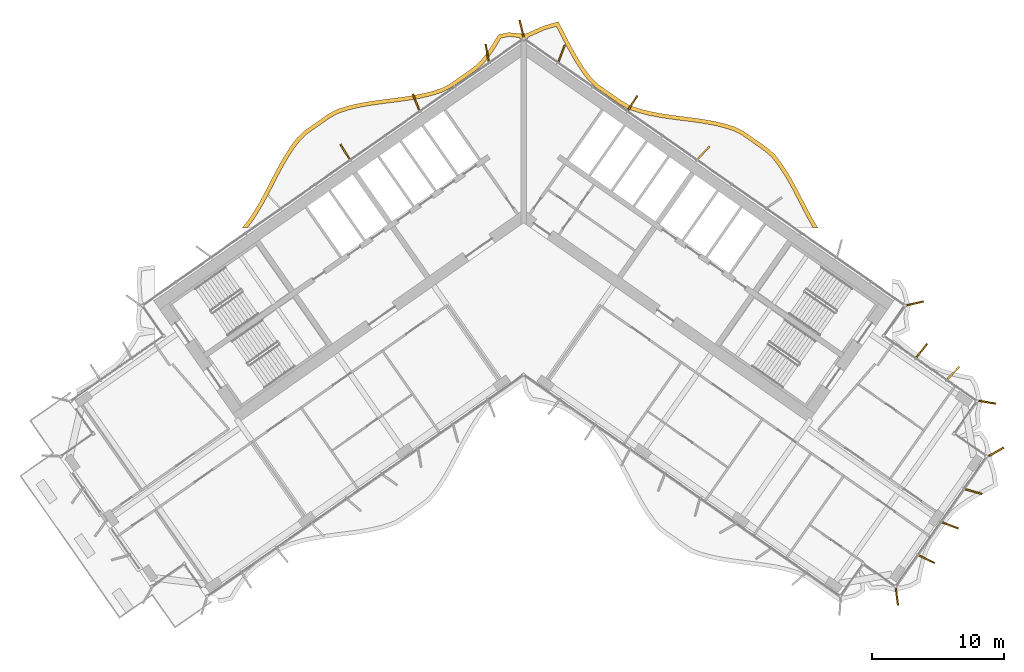
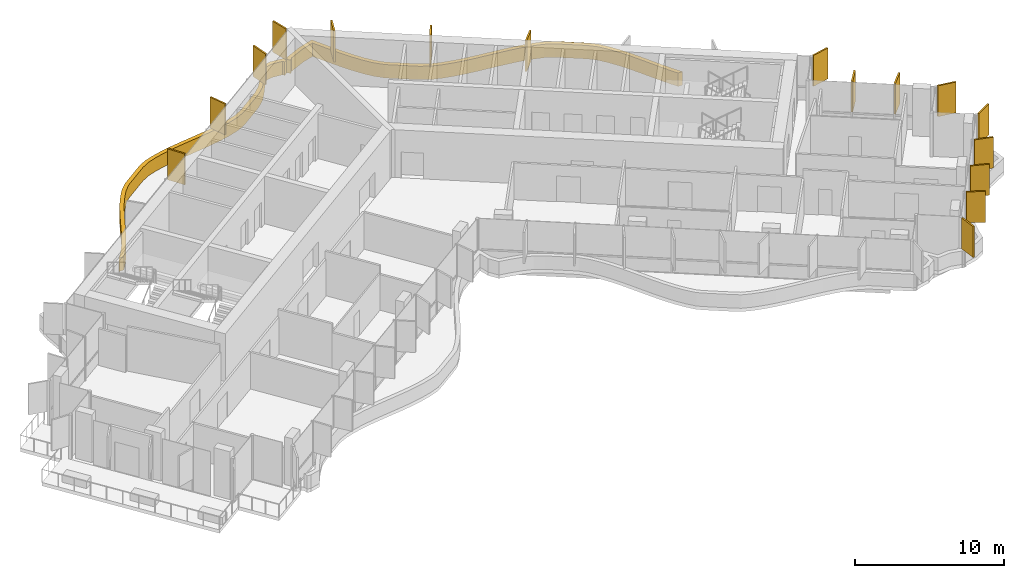
# One storey, part 21 of 22: 17 shading devices.
"""IFC4 building model written with IfcOpenShell, lengths in metres."""

import ifcopenshell
import ifcopenshell.guid

model = None  # the IFC model being written
_history = None  # IfcOwnerHistory: only IFC2X3 demands one
_inside = {}  # id of a spatial element -> (the spatial element, [elements in it])
_under = {}  # id of a project, library or spatial element -> (it, [spatial elements below it])
_declared = {}  # id of a project -> (the project, [libraries it declares])
_typed = {}  # id of a type object -> (the type object, [elements of that type])
_made_of = {}  # id of a material, layer set ... -> (it, [elements and type objects made of it])


def new_model(schema):
    """Start an empty IFC model of exactly this schema.

    Asked for "IFC4X3", IfcOpenShell would pick the latest addendum, in which some entities
    have other attributes; the version numbers below select the first issue.
    IFC2X3 requires an IfcOwnerHistory on every rooted entity: one is made here for all.
    """
    global model, _history
    if schema == "IFC4X3":
        model = ifcopenshell.file(schema_version=(4, 3, 0, 0))
    else:
        model = ifcopenshell.file(schema=schema)
    _inside.clear()
    _under.clear()
    _declared.clear()
    _typed.clear()
    _made_of.clear()
    _history = None
    if model.schema == "IFC2X3":
        org = make("IfcOrganization", Name="unknown")
        user = make(
            "IfcPersonAndOrganization",
            ThePerson=make("IfcPerson", FamilyName="unknown"),
            TheOrganization=org,
        )
        app = make(
            "IfcApplication",
            ApplicationDeveloper=org,
            Version="unknown",
            ApplicationFullName="unknown",
            ApplicationIdentifier="unknown",
        )
        _history = make(
            "IfcOwnerHistory",
            OwningUser=user,
            OwningApplication=app,
            ChangeAction="ADDED",
            CreationDate=0,
        )
    return model


def make(cls, **values):
    """One entity of the class cls with the attributes given. An attribute that is None is left unset."""
    return model.create_entity(
        cls, **{name: value for name, value in values.items() if value is not None}
    )


def rooted(cls, **values):
    """An entity with a GlobalId (a new one), such as an element, a storey or a relation."""
    return make(cls, GlobalId=ifcopenshell.guid.new(), OwnerHistory=_history, **values)


def si_unit(unit_type, name, prefix=None):
    """IfcSIUnit, for example si_unit("LENGTHUNIT", "METRE", prefix="MILLI")."""
    return make("IfcSIUnit", UnitType=unit_type, Prefix=prefix, Name=name)


def assignment(units):
    """IfcUnitAssignment: the units of a project."""
    return None if units is None else make("IfcUnitAssignment", Units=units)


def point(xyz):
    """IfcCartesianPoint."""
    return None if xyz is None else make("IfcCartesianPoint", Coordinates=xyz)


def direction(xyz):
    """IfcDirection."""
    return None if xyz is None else make("IfcDirection", DirectionRatios=xyz)


def frame(location, z_axis=None, x_axis=None):
    """IfcAxis2Placement3D, a coordinate frame: its origin and axes. An axis left out is left unset."""
    return make(
        "IfcAxis2Placement3D",
        Location=point(location),
        Axis=direction(z_axis),
        RefDirection=direction(x_axis),
    )


def frame_2d(location, x_axis=None):
    """IfcAxis2Placement2D, a coordinate frame in the plane: its origin and x axis."""
    return make(
        "IfcAxis2Placement2D", Location=point(location), RefDirection=direction(x_axis)
    )


def origin():
    """The frame at (0, 0, 0) with its axes left unset."""
    return frame((0.0, 0.0, 0.0))


def origin_2d():
    """The frame at (0, 0) in the plane with its x axis left unset."""
    return frame_2d((0.0, 0.0))


def place(relative_to, where):
    """IfcLocalPlacement: puts the frame where relative to a parent placement (None: the world)."""
    return make(
        "IfcLocalPlacement", PlacementRelTo=relative_to, RelativePlacement=where
    )


def context(
    kind, dimensions, precision=None, world=None, true_north=None, identifier=None
):
    """IfcGeometricRepresentationContext, for example the 3D "Model" context."""
    return make(
        "IfcGeometricRepresentationContext",
        ContextIdentifier=identifier,
        ContextType=kind,
        CoordinateSpaceDimension=dimensions,
        Precision=precision,
        WorldCoordinateSystem=world,
        TrueNorth=true_north,
    )


def subcontext(parent, identifier, kind, view, scale=None):
    """IfcGeometricRepresentationSubContext, for example "Body" below "Model"."""
    return make(
        "IfcGeometricRepresentationSubContext",
        ContextIdentifier=identifier,
        ContextType=kind,
        ParentContext=parent,
        TargetScale=scale,
        TargetView=view,
    )


def project(units=None, contexts=None):
    """IfcProject with its units and contexts."""
    return rooted(
        "IfcProject",
        Name="project",
        RepresentationContexts=contexts,
        UnitsInContext=assignment(units),
    )


def spatial(cls, under=None, at=None, **own):
    """A site, building, storey or space (cls), placed at a placement, below another one or the project."""
    s = rooted(cls, ObjectPlacement=at, **own)
    if under is not None:
        _under.setdefault(under.id(), (under, []))[1].append(s)
    return s


def polyline(points):
    """IfcPolyline through the points."""
    return make("IfcPolyline", Points=[point(p) for p in points])


def profile(cls, at=None, kind="AREA", **sizes):
    """A parametric profile (cls). Its sizes go by their IFC names, for example OverallWidth=200.0."""
    return make(cls, ProfileType=kind, Position=at, **sizes)


def rectangle(**sizes):
    """IfcRectangleProfileDef."""
    return profile("IfcRectangleProfileDef", **sizes)


def outline(outer, holes=None, kind="AREA"):
    """IfcArbitraryClosedProfileDef: a profile drawn as a closed curve; with holes, ...WithVoids."""
    if holes is None:
        return make("IfcArbitraryClosedProfileDef", ProfileType=kind, OuterCurve=outer)
    return make(
        "IfcArbitraryProfileDefWithVoids",
        ProfileType=kind,
        OuterCurve=outer,
        InnerCurves=holes,
    )


def extrude(swept, where, along, depth):
    """IfcExtrudedAreaSolid: the profile swept, set in the frame where, extruded along a direction by depth."""
    return make(
        "IfcExtrudedAreaSolid",
        SweptArea=swept,
        Position=where,
        ExtrudedDirection=direction(along),
        Depth=depth,
    )


def shape(context_of_items, identifier, shape_type, items):
    """IfcShapeRepresentation: the items that make up one representation, for example the "Body"."""
    return make(
        "IfcShapeRepresentation",
        ContextOfItems=context_of_items,
        RepresentationIdentifier=identifier,
        RepresentationType=shape_type,
        Items=items,
    )


def material(Name=None, Category=None):
    """IfcMaterial."""
    return make("IfcMaterial", Name=Name, Category=Category)


def layer(
    of_material, thickness, ventilated=None, Name=None, Category=None, Priority=None
):
    """IfcMaterialLayer: one layer of a wall or slab, of a material (None: an air gap)."""
    return make(
        "IfcMaterialLayer",
        Material=of_material,
        LayerThickness=thickness,
        IsVentilated=ventilated,
        Name=Name,
        Category=Category,
        Priority=Priority,
    )


def layer_set(layers, Name=None):
    """IfcMaterialLayerSet."""
    return make("IfcMaterialLayerSet", MaterialLayers=layers, LayerSetName=Name)


def made_of(thing, what):
    """Note that an element or type object is made of a material, layer set ...; save() writes the relation."""
    if what is not None:
        _made_of.setdefault(what.id(), (what, []))[1].append(thing)
    return thing


def type_object(cls, material=None, **own):
    """A type object (cls), such as IfcWallType, which elements share."""
    return made_of(rooted(cls, **own), material)


def element(
    cls,
    number,
    at=None,
    inside=None,
    cuts=None,
    type_object=None,
    material=None,
    context=None,
    identifier="Body",
    shape_type=None,
    held_by="IfcProductDefinitionShape",
    body=None,
    shapes=None,
    **own,
):
    """One element of the class cls, such as IfcWall. Its Tag is "e" and its number.

    at: its placement. inside: the storey or other place that contains it. cuts: it is an
    opening in that element (IfcRelVoidsElement). A single representation is given by context,
    identifier, shape_type and body (its items); several are given by shapes. held_by: the class
    of the entity that holds the representations. save() writes the other relations.
    """
    e = rooted(cls, Tag="e%d" % number, ObjectPlacement=at, **own)
    if body is not None:
        shapes = [shape(context, identifier, shape_type, body)]
    if shapes is not None:
        e.Representation = make(held_by, Representations=shapes)
    if inside is not None:
        _inside.setdefault(inside.id(), (inside, []))[1].append(e)
    if cuts is not None:
        rooted(
            "IfcRelVoidsElement", RelatingBuildingElement=cuts, RelatedOpeningElement=e
        )
    if type_object is not None:
        _typed.setdefault(type_object.id(), (type_object, []))[1].append(e)
    return made_of(e, material)


def aggregate(whole, parts):
    """IfcRelAggregates: a whole, such as a stair, and the parts it consists of."""
    return rooted("IfcRelAggregates", RelatingObject=whole, RelatedObjects=parts)


def save(model, path):
    """Write the relations noted so far, then the file.

    IfcRelAggregates (storeys below a building ...), IfcRelContainedInSpatialStructure (elements
    in a storey), IfcRelDefinesByType, IfcRelAssociatesMaterial and IfcRelDeclares: one each for
    every whole, place, type object, material and project.
    """
    for whole, parts in _under.values():
        aggregate(whole, parts)
    for where, things in _inside.values():
        rooted(
            "IfcRelContainedInSpatialStructure",
            RelatedElements=things,
            RelatingStructure=where,
        )
    for kind, things in _typed.values():
        rooted("IfcRelDefinesByType", RelatedObjects=things, RelatingType=kind)
    for what, things in _made_of.values():
        rooted("IfcRelAssociatesMaterial", RelatedObjects=things, RelatingMaterial=what)
    for by, libraries in _declared.values():
        rooted("IfcRelDeclares", RelatingContext=by, RelatedDefinitions=libraries)
    model.write(path)


model = new_model("IFC4")

# Units and contexts
model_context = context("Model", 3, precision=1e-05, world=origin(), true_north=direction((0.0, 1.0)))
body_context = subcontext(model_context, "Body", "Model", "MODEL_VIEW")
ifc_project = project(units=[si_unit("LENGTHUNIT", "METRE"), si_unit("AREAUNIT", "SQUARE_METRE"), si_unit("VOLUMEUNIT", "CUBIC_METRE"), si_unit("PLANEANGLEUNIT", "RADIAN"), si_unit("MASSUNIT", "GRAM", prefix="KILO")], contexts=[model_context])

# Site, building, storey
site_placement = place(None, origin())
site = spatial("IfcSite", under=ifc_project, at=site_placement, CompositionType="ELEMENT")
building_placement = place(site_placement, origin())
building = spatial("IfcBuilding", under=site, at=building_placement, Name="Tel Ilan Convention Tower", CompositionType="ELEMENT")
storey_placement = place(building_placement, frame((0.0, 0.0, 202.199951171875)))
storey = spatial("IfcBuildingStorey", under=building, at=storey_placement, Name="L47", CompositionType="ELEMENT", Elevation=202.199951171875)

# Shading devices
ifc_material_1 = material(Name="Aluminium, bronze anodised", Category="aluminium")
ifc_layer_1 = layer(ifc_material_1, 0.1201171875)
ifc_layer_set_1 = layer_set([ifc_layer_1], Name="FIN BRONZE 1300x120")
shading_device_type_1 = type_object("IfcShadingDeviceType", Name="FIN BRONZE 1300x120", PredefinedType="USERDEFINED", material=ifc_layer_set_1)
for number, where, z_axis, x_axis, name in (
    (1, (29.594970703125, -7.31494140625, 1.10009765625), (0.0, 0.0, 1.0), (0.975235208752, 0.221170268371, 0.0), "FIN"),
    (2, (13.61376953125, 4.080810546875, 1.10009765625), (0.0, 0.0, 1.0), (0.686241637865, 0.727373641577, 0.0), "FIN"),
    (3, (8.245849609375, 7.83984375, 1.10009765625), (0.0, 0.0, 1.0), (0.533204432798, 0.845986425922, 0.0), "FIN"),
    (4, (2.874755859375, 11.592529296875, 1.10009765625), (0.0, 0.0, 1.0), (0.360177724803, 0.932883704733, 0.0), "FIN"),
    (5, (-0.156005859375, 13.463134765625, 1.10009765625), (0.0, 0.0, 1.0), (-0.240039791311, 0.970763049661, 0.0), "FIN"),
    (6, (-2.759765625, 11.63525390625, 1.10009765625), (0.0, 0.0, 1.0), (-0.173648177667, 0.984807753012, 0.0), "FIN"),
    (7, (-8.139892578125, 7.90576171875, 1.10009765625), (0.0, 0.0, 1.0), (-0.360177724803, 0.932883704733, 0.0), "FIN"),
    (8, (-13.510986328125, 4.153076171875, 1.10009765625), (0.0, 0.0, 1.0), (-0.533204432798, 0.845986425922, 0.0), "FIN"),
    (9, (28.21875, -29.50439453125, 1.10009765625), (0.0, 0.0, 1.0), (0.125718016748, -0.992066016082, 0.0), "FIN"),
    (10, (30.4736328125, -26.6552734375, 1.10009765625), (0.0, 0.0, 1.0), (0.893632640321, -0.448799180206, 0.0), "FIN"),
    (11, (32.253173828125, -24.1025390625, 1.10009765625), (0.0, 0.0, 1.0), (0.932883704733, -0.360177724803, 0.0), "FIN"),
    (12, (34.02685546875, -21.547607421875, 1.10009765625), (0.0, 0.0, 1.0), (0.963370878614, -0.268172612768, 0.0), "FIN"),
    (13, (35.719482421875, -18.540771484375, 1.10009765625), (0.0, 0.0, 1.0), (0.870832754082, 0.491579408049, 0.0), "FIN"),
    (14, (35.057861328125, -14.788818359375, 1.10009765625), (0.0, 0.0, 1.0), (0.986445172547, -0.16409119891, 0.0), "FIN"),
    (15, (32.5, -12.561767578125, 1.10009765625), (0.0, 0.0, 1.0), (0.686241637865, 0.727373641577, 0.0), "FIN"),
    (16, (30.1005859375, -10.881103515625, 1.10009765625), (0.0, 0.0, 1.0), (0.612600545196, 0.790392669516, 0.0), "FIN"),
):
    element("IfcShadingDevice", number, at=place(storey_placement, frame(where, z_axis=z_axis, x_axis=x_axis)), inside=storey, type_object=shading_device_type_1, Name=name, ObjectType="FIN", PredefinedType="USERDEFINED", context=body_context, shape_type="SweptSolid", body=[
        extrude(rectangle(XDim=1.300048828125, YDim=0.1201171875, at=origin_2d()), origin(), (0.0, 0.0, 1.0), 2.52001953125),
    ])
ifc_material_2 = material(Name="Aluminium, bronze anodised", Category="aluminium")
ifc_layer_2 = layer(ifc_material_2, 0.300048828125)
ifc_layer_set_2 = layer_set([ifc_layer_2], Name="LOUVRE BAND 300x1100")
shading_device_type_2 = type_object("IfcShadingDeviceType", Name="LOUVRE BAND 300x1100", PredefinedType="USERDEFINED", material=ifc_layer_set_2)
shading_device_placement = place(storey_placement, origin())
element("IfcShadingDevice", 17, at=shading_device_placement, inside=storey, type_object=shading_device_type_2, Name="LOUVRE BAND 37.02", ObjectType="LOUVRE", PredefinedType="USERDEFINED", context=body_context, shape_type="SweptSolid", body=[
    extrude(outline(polyline([(-1.14208984375, 13.1650390625), (-1.919921875, 12.991943359375), (-2.3310546875, 12.294921875), (-2.769287109375, 11.63671875), (-3.242431640625, 11.0283203125), (-3.7919921875, 10.529296875), (-5.601806640625, 9.261962890625), (-6.26611328125, 8.926513671875), (-7.002197265625, 8.693603515625), (-7.7724609375, 8.509765625), (-8.570068359375, 8.36474609375), (-9.385986328125, 8.24609375), (-11.03564453125, 8.033935546875), (-11.849853515625, 7.91259765625), (-12.644287109375, 7.76318359375), (-13.41064453125, 7.573486328125), (-14.141845703125, 7.33349609375), (-14.791748046875, 6.977783203125), (-16.6015625, 5.71044921875), (-17.136474609375, 5.1904296875), (-17.604736328125, 4.574951171875), (-18.0390625, 3.9111328125), (-18.44677734375, 3.209228515625), (-18.83642578125, 2.481689453125), (-19.60009765625, 1.004150390625), (-19.993408203125, 0.281982421875), (-20.4072265625, -0.4111328125), (-20.849609375, -1.0634765625), (-21.30126953125, -1.631591796875), (-20.91796875, -1.631591796875), (-20.607666015625, -1.2412109375), (-20.154052734375, -0.572265625), (-19.73291015625, 0.13330078125), (-19.335205078125, 0.86328125), (-18.57080078125, 2.342041015625), (-18.1845703125, 3.06298828125), (-17.78369140625, 3.75341796875), (-17.359619140625, 4.40185546875), (-16.911376953125, 4.99072265625), (-16.409912109375, 5.478515625), (-14.633056640625, 6.722412109375), (-14.02197265625, 7.05712890625), (-13.32763671875, 7.284912109375), (-12.58056640625, 7.4697265625), (-11.800048828125, 7.61669921875), (-10.994384765625, 7.73681640625), (-9.345458984375, 7.94873046875), (-8.521484375, 8.068603515625), (-7.710693359375, 8.216064453125), (-6.921875, 8.404296875), (-6.152587890625, 8.64794921875), (-5.447509765625, 9.00390625), (-3.604248046875, 10.29443359375), (-3.021484375, 10.82373046875), (-2.525634765625, 11.46142578125), (-2.076904296875, 12.135498046875), (-1.727783203125, 12.727294921875), (-1.12451171875, 12.861572265625), (-0.33935546875, 12.77978515625), (-0.24609375, 12.646728515625), (0.0, 12.818115234375), (0.24609375, 12.646728515625), (0.3701171875, 12.82373046875), (1.583984375, 13.365234375), (2.46484375, 13.628173828125), (3.115478515625, 12.37158203125), (3.5078125, 11.636474609375), (3.92041015625, 10.921630859375), (4.362548828125, 10.239501953125), (4.84716796875, 9.595947265625), (5.407958984375, 9.031494140625), (7.251220703125, 7.74072265625), (7.93212890625, 7.353759765625), (8.69921875, 7.09716796875), (9.48291015625, 6.89990234375), (10.2900390625, 6.745361328125), (11.112060546875, 6.621337890625), (12.762939453125, 6.408935546875), (13.572509765625, 6.29248046875), (14.3583984375, 6.15185546875), (15.11279296875, 5.97509765625), (15.819580078125, 5.75537109375), (16.44921875, 5.450927734375), (18.22607421875, 4.206787109375), (18.74951171875, 3.746826171875), (19.200927734375, 3.172607421875), (19.63037109375, 2.533447265625), (20.03515625, 1.850341796875), (20.423583984375, 1.13427734375), (21.186767578125, -0.3427734375), (21.5810546875, -1.075927734375), (21.906005859375, -1.631591796875), (22.25341796875, -1.631591796875), (21.8427734375, -0.928955078125), (21.4521484375, -0.202880859375), (20.688720703125, 1.27490234375), (20.296142578125, 1.998291015625), (19.884033203125, 2.69384765625), (19.44384765625, 3.34912109375), (18.96826171875, 3.9541015625), (18.41162109375, 4.443115234375), (16.6015625, 5.71044921875), (15.929931640625, 6.03515625), (15.191650390625, 6.2646484375), (14.419189453125, 6.44580078125), (13.6201171875, 6.588623046875), (12.80322265625, 6.7060546875), (11.15380859375, 6.91845703125), (10.340576171875, 7.041259765625), (9.547607421875, 7.19287109375), (8.783447265625, 7.385498046875), (8.054931640625, 7.62890625), (7.411865234375, 7.99462890625), (5.601806640625, 9.261962890625), (5.074462890625, 9.792724609375), (4.608642578125, 10.41162109375), (4.17626953125, 11.078369140625), (3.770263671875, 11.7822265625), (3.38134765625, 12.510986328125), (2.6162109375, 13.986328125), (1.4794921875, 13.647216796875), (0.168701171875, 13.059326171875), (0.11474609375, 13.09521484375), (0.0, 13.1181640625), (-0.11474609375, 13.09521484375), (-0.168701171875, 13.059326171875), (-1.14208984375, 13.1650390625)])), origin(), (0.0, 0.0, 1.0), 1.10009765625),
])

save(model, "model.ifc")
